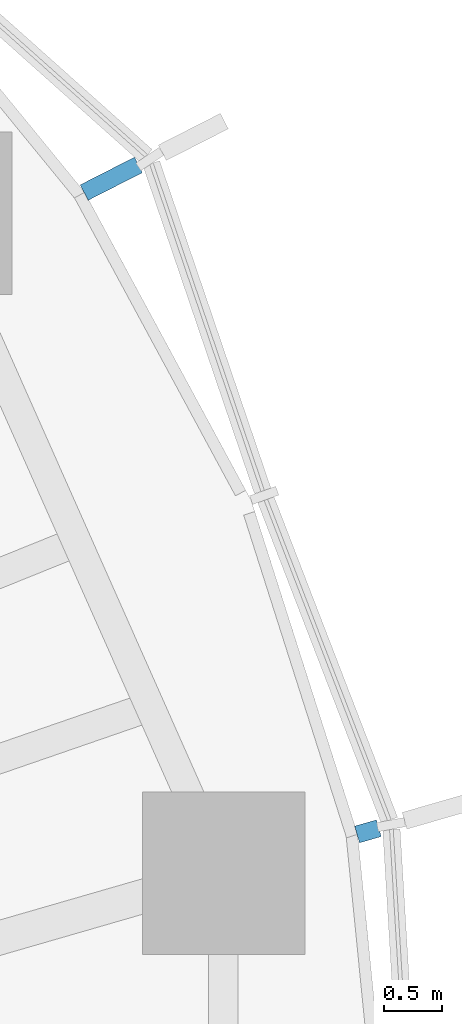
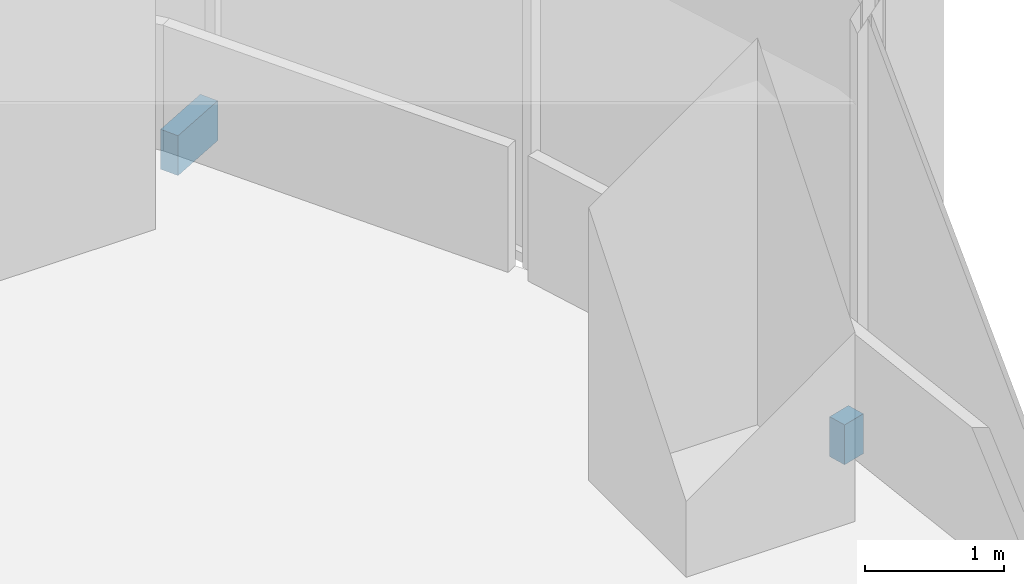
# One storey, part 16 of 18: 2 discrete accessories.
"""IFC4 building model written with IfcOpenShell, lengths in metres."""

from ifc_helpers import new_model, si_unit, direction, frame, origin, origin_2d, place, context, subcontext, project, spatial, rectangle, extrude, material, type_object, element, save


model = new_model("IFC4")

# Units and contexts
model_context = context("Model", 3, precision=1e-05, world=origin(), true_north=direction((0.0, 1.0)))
body_context = subcontext(model_context, "Body", "Model", "MODEL_VIEW")
ifc_project = project(units=[si_unit("LENGTHUNIT", "METRE"), si_unit("AREAUNIT", "SQUARE_METRE"), si_unit("VOLUMEUNIT", "CUBIC_METRE"), si_unit("PLANEANGLEUNIT", "RADIAN"), si_unit("MASSUNIT", "GRAM", prefix="KILO")], contexts=[model_context])

# Site, building, storey
site_placement = place(None, origin())
site = spatial("IfcSite", under=ifc_project, at=site_placement, CompositionType="ELEMENT")
building_placement = place(site_placement, origin())
building = spatial("IfcBuilding", under=site, at=building_placement, Name="Ghaith Harvest Tower", CompositionType="ELEMENT")
storey_placement = place(building_placement, frame((0.0, 0.0, 147.0)))
storey = spatial("IfcBuildingStorey", under=building, at=storey_placement, Name="L31", CompositionType="ELEMENT", Elevation=147.0)

# Discrete accessories
ifc_material_1 = material(Name="Stainless steel grade 1.4401", Category="steel")
discrete_accessory_type_1 = type_object("IfcDiscreteAccessoryType", Name="CURTAIN WALL BRACKET 195", PredefinedType="BRACKET", material=ifc_material_1)
discrete_accessory_1_placement = place(storey_placement, frame((30.528076171875, 8.8232421875, -0.25), z_axis=(0.0, 0.0, 1.0), x_axis=(0.960680349985, 0.277656739792, 0.0)))
element("IfcDiscreteAccessory", 1, at=discrete_accessory_1_placement, inside=storey, type_object=discrete_accessory_type_1, Name="CW-L bracket 1 bay 02 L31", PredefinedType="BRACKET", context=body_context, shape_type="SweptSolid", body=[
    extrude(rectangle(XDim=0.195068359375, YDim=0.14990234375, at=origin_2d()), origin(), (0.0, 0.0, 1.0), 0.35009765625),
])
ifc_material_2 = material(Name="Stainless steel grade 1.4401", Category="steel")
discrete_accessory_type_2 = type_object("IfcDiscreteAccessoryType", Name="CURTAIN WALL BRACKET 525", PredefinedType="BRACKET", material=ifc_material_2)
discrete_accessory_2_placement = place(storey_placement, frame((28.318115234375, 14.442626953125, -0.25), z_axis=(0.0, 0.0, 1.0), x_axis=(0.890830752257, 0.454335306611, 0.0)))
element("IfcDiscreteAccessory", 2, at=discrete_accessory_2_placement, inside=storey, type_object=discrete_accessory_type_2, Name="CW-L bracket 3 bay 02 L31", PredefinedType="BRACKET", context=body_context, shape_type="SweptSolid", body=[
    extrude(rectangle(XDim=0.52490234375, YDim=0.14990234375, at=origin_2d()), origin(), (0.0, 0.0, 1.0), 0.35009765625),
])

save(model, "model.ifc")
